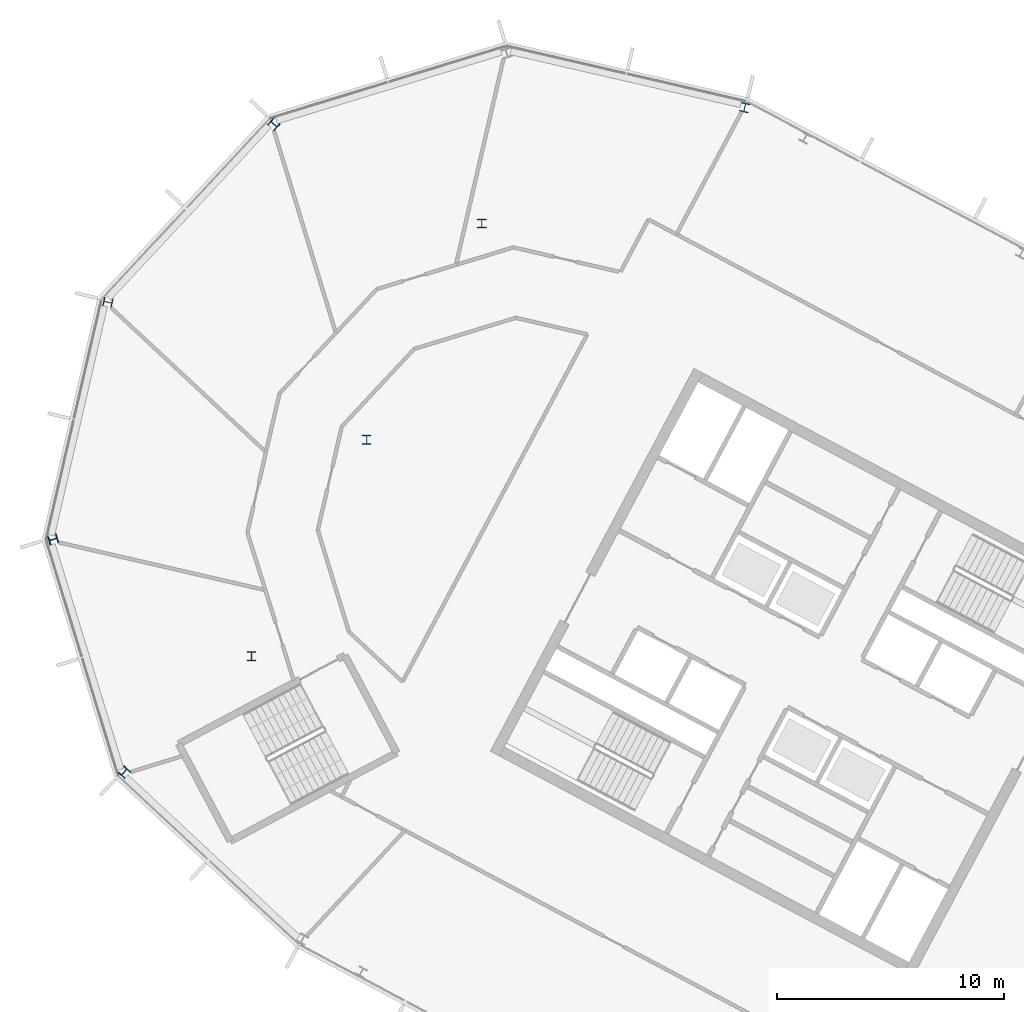
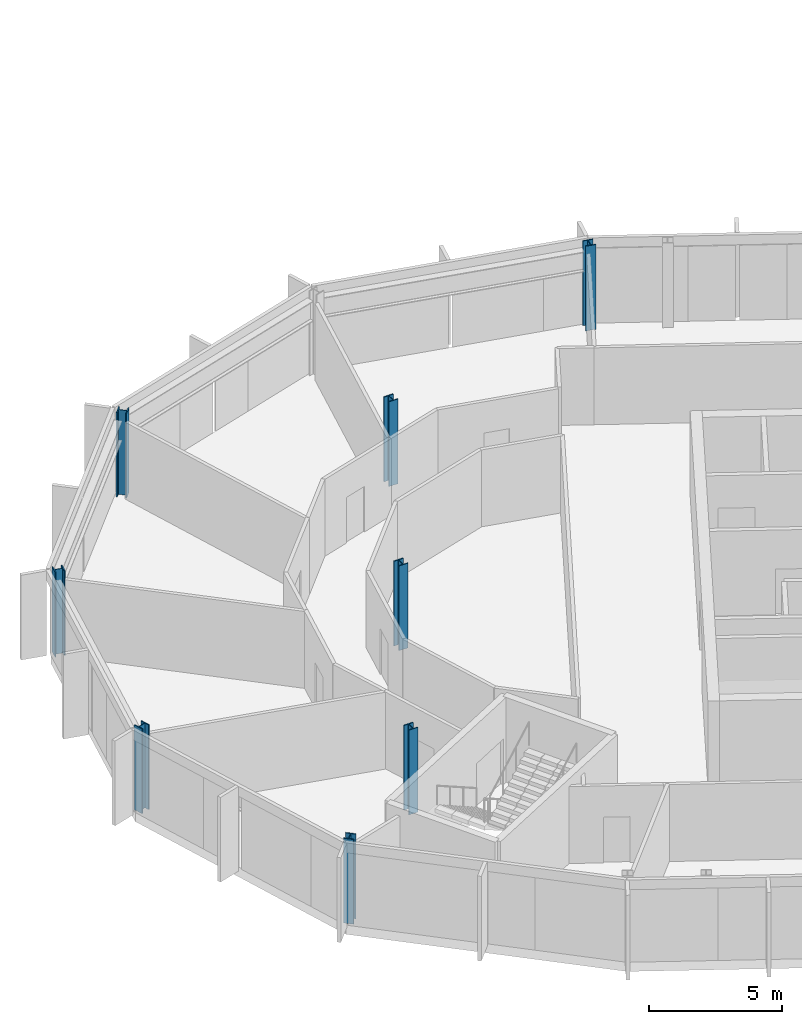
# One storey, part 3 of 30: 8 columns.
"""IFC4 building model written with IfcOpenShell, lengths in metres."""

from ifc_helpers import new_model, si_unit, direction, frame, origin, origin_2d, place, context, subcontext, project, spatial, i_section, extrude, material, material_profile, profile_set, type_object, element, save


model = new_model("IFC4")

# Units and contexts
model_context = context("Model", 3, precision=1e-05, world=origin(), true_north=direction((0.0, 1.0)))
body_context = subcontext(model_context, "Body", "Model", "MODEL_VIEW")
ifc_project = project(units=[si_unit("LENGTHUNIT", "METRE"), si_unit("AREAUNIT", "SQUARE_METRE"), si_unit("VOLUMEUNIT", "CUBIC_METRE"), si_unit("PLANEANGLEUNIT", "RADIAN"), si_unit("MASSUNIT", "GRAM", prefix="KILO")], contexts=[model_context])

# Site, building, storey
site_placement = place(None, origin())
site = spatial("IfcSite", under=ifc_project, at=site_placement, CompositionType="ELEMENT")
building_placement = place(site_placement, origin())
building = spatial("IfcBuilding", under=site, at=building_placement, Name="Cormorant Relay Tower", CompositionType="ELEMENT")
storey_placement = place(building_placement, frame((0.0, 0.0, 258.0)))
storey = spatial("IfcBuildingStorey", under=building, at=storey_placement, Name="L57", CompositionType="ELEMENT", Elevation=258.0)

# Columns
ifc_material = material(Name="Steel ASTM A992 (Fy 345 MPa)", Category="steel")
ifc_material_profile = material_profile(ifc_material, i_section(OverallWidth=0.40380859375, OverallDepth=0.406494140625, WebThickness=0.027099609375, FlangeThickness=0.043701171875, FilletRadius=0.01513671875, at=origin_2d()), Name="W360x347")
ifc_profile_set = profile_set([ifc_material_profile], Name="Steel ASTM A992 (Fy 345 MPa)")
column_type = type_object("IfcColumnType", Name="Column W360x347", PredefinedType="COLUMN", material=ifc_profile_set)
for number, where, z_axis, x_axis, name in (
    (1, (-57.2958984375, 10.152099609375, 0.0), (0.0, 0.0, 1.0), (0.731353701619, -0.681998360062, 0.0), "Column L57-022"),
    (2, (-51.68994140625, 15.251953125, 0.0), (0.0, 0.0, 1.0), (1.0, 0.0, 0.0), "Column L57-026"),
    (3, (-60.429931640625, 20.403076171875, 0.0), (0.0, 0.0, 1.0), (0.292371704723, -0.956304755963, 0.0), "Column L57-028"),
    (4, (-46.6201171875, 24.7880859375, 0.0), (0.0, 0.0, 1.0), (1.0, 0.0, 0.0), "Column L57-030"),
    (5, (-58.01806640625, 30.84912109375, 0.0), (0.0, 0.0, 1.0), (-0.224951054344, -0.974370064785, 0.0), "Column L57-034"),
    (6, (-41.549072265625, 34.323974609375, 0.0), (0.0, 0.0, 1.0), (1.0, 0.0, 0.0), "Column L57-037"),
    (7, (-50.70703125, 38.68896484375, 0.0), (0.0, 0.0, 1.0), (-0.681998360062, -0.731353701619, 0.0), "Column L57-041"),
    (8, (-29.965087890625, 39.425048828125, 0.0), (0.0, 0.0, 1.0), (-0.974370064785, 0.224951054344, 0.0), "Column L57-042"),
):
    element("IfcColumn", number, at=place(storey_placement, frame(where, z_axis=z_axis, x_axis=x_axis)), inside=storey, type_object=column_type, Name=name, PredefinedType="COLUMN", context=body_context, shape_type="SweptSolid", body=[
        extrude(i_section(OverallWidth=0.40380859375, OverallDepth=0.406494140625, WebThickness=0.027099609375, FlangeThickness=0.043701171875, FilletRadius=0.01513671875, at=origin_2d()), origin(), (0.0, 0.0, 1.0), 3.89990234375),
    ])

save(model, "model.ifc")
